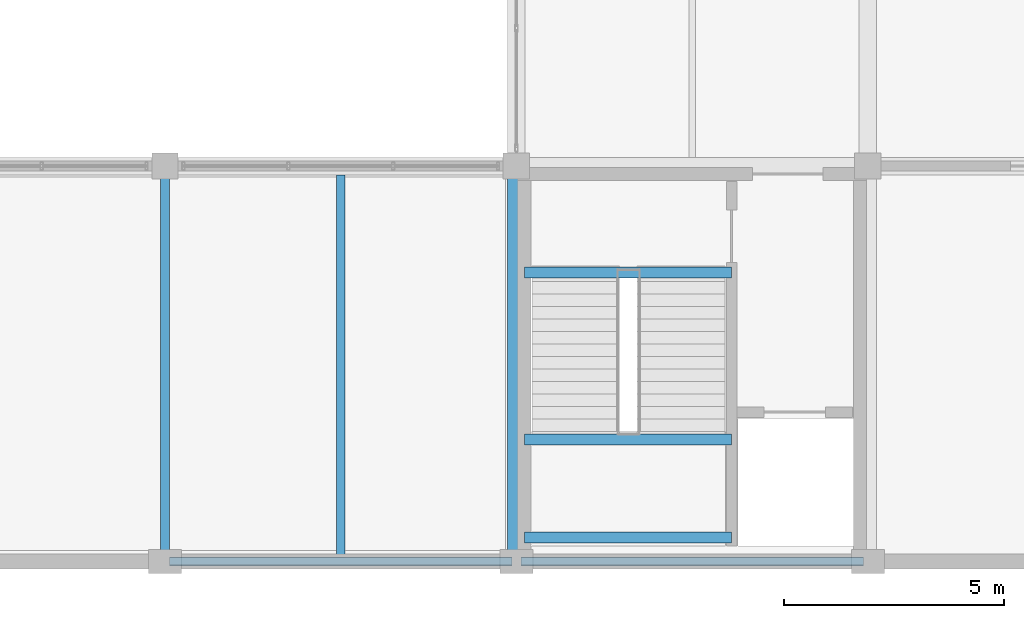
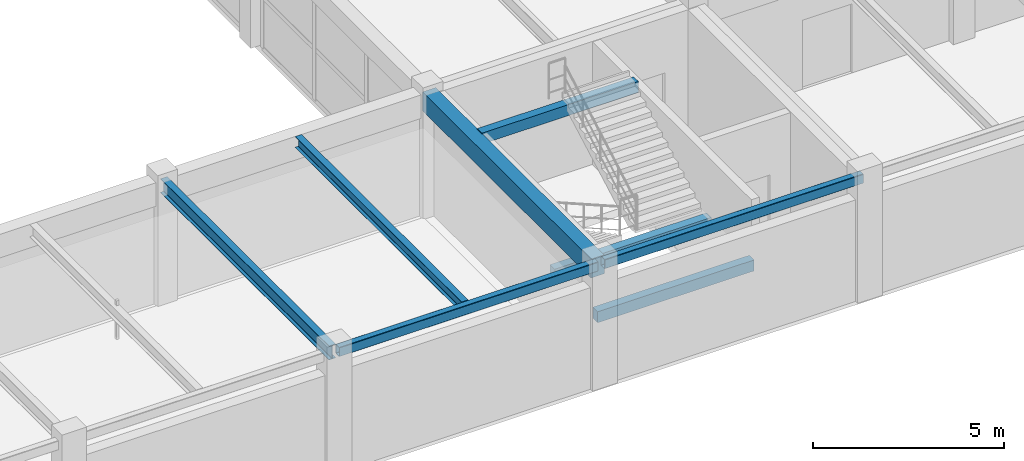
# One storey, part 22 of 126: 8 beams.
"""IFC4 building model written with IfcOpenShell, lengths in metres."""

from ifc_helpers import new_model, si_unit, direction, frame, origin, origin_2d, place, context, subcontext, project, spatial, rectangle, hollow_rectangle, i_section, extrude, material, material_profile, profile_set, type_object, element, save


model = new_model("IFC4")

# Units and contexts
model_context = context("Model", 3, precision=1e-05, world=origin(), true_north=direction((0.0, 1.0)))
body_context = subcontext(model_context, "Body", "Model", "MODEL_VIEW")
ifc_project = project(units=[si_unit("LENGTHUNIT", "METRE"), si_unit("AREAUNIT", "SQUARE_METRE"), si_unit("VOLUMEUNIT", "CUBIC_METRE"), si_unit("PLANEANGLEUNIT", "RADIAN"), si_unit("MASSUNIT", "GRAM", prefix="KILO")], contexts=[model_context])

# Site, building, storey
site_placement = place(None, origin())
site = spatial("IfcSite", under=ifc_project, at=site_placement, CompositionType="ELEMENT")
building_placement = place(site_placement, origin())
building = spatial("IfcBuilding", under=site, at=building_placement, Name="Varnabhumi Central Station", CompositionType="ELEMENT")
storey_placement = place(building_placement, frame((0.0, 0.0, 16.199951171875)))
storey = spatial("IfcBuildingStorey", under=building, at=storey_placement, Name="L03", CompositionType="ELEMENT", Elevation=16.199951171875)

# Beams
ifc_material_1 = material(Name="Structural steel E350", Category="steel")
ifc_material_profile_1 = material_profile(ifc_material_1, hollow_rectangle(XDim=0.199951171875, YDim=0.300048828125, WallThickness=0.011962890625, InnerFilletRadius=0.011962890625, OuterFilletRadius=0.02392578125, at=origin_2d()), Name="Structural steel E350", Category="steel")
ifc_profile_set_1 = profile_set([ifc_material_profile_1], Name="Structural steel E350")
beam_type_1 = type_object("IfcBeamType", Name="BM-EDGE-RHS300", PredefinedType="SPANDREL", material=ifc_profile_set_1)
for number, where, z_axis, x_axis, name in (
    (1, (136.10009765625, 0.0, 3.77001953125), (1.0, 0.0, 0.0), (0.0, 1.0, 0.0), "Beam L03-A:18-19"),
    (2, (144.10009765625, 0.0, 3.77001953125), (1.0, 0.0, 0.0), (0.0, 1.0, 0.0), "Beam L03-A:19-20"),
):
    element("IfcBeam", number, at=place(storey_placement, frame(where, z_axis=z_axis, x_axis=x_axis)), inside=storey, type_object=beam_type_1, Name=name, PredefinedType="SPANDREL", context=body_context, shape_type="SweptSolid", body=[
        extrude(hollow_rectangle(XDim=0.199951171875, YDim=0.300048828125, WallThickness=0.011962890625, InnerFilletRadius=0.011962890625, OuterFilletRadius=0.02392578125, at=origin_2d()), origin(), (0.0, 0.0, 1.0), 7.7998046875),
    ])
ifc_material_2 = material(Name="Concrete M35", Category="concrete")
ifc_material_profile_2 = material_profile(ifc_material_2, rectangle(XDim=0.25, YDim=0.35009765625, at=origin_2d()), Name="Concrete M35", Category="concrete")
ifc_profile_set_2 = profile_set([ifc_material_profile_2], Name="Concrete M35")
beam_type_2 = type_object("IfcBeamType", Name="BM-RC-250x350", PredefinedType="LINTEL", material=ifc_profile_set_2)
for number, where, z_axis, x_axis, name in (
    (3, (144.179931640625, 0.5400390625, 1.7451171875), (1.0, 0.0, 0.0), (0.0, 1.0, 0.0), "ST-S3 L03 Half Landing Support Beam 1"),
    (4, (144.179931640625, 2.77490234375, 1.7451171875), (1.0, 0.0, 0.0), (0.0, 1.0, 0.0), "ST-S3 L03 Half Landing Support Beam 2"),
    (5, (144.179931640625, 6.580078125, 3.775146484375), (1.0, 0.0, 0.0), (0.0, 1.0, 0.0), "ST-S3 L03 Floor Opening Trimmer Beam"),
):
    element("IfcBeam", number, at=place(storey_placement, frame(where, z_axis=z_axis, x_axis=x_axis)), inside=storey, type_object=beam_type_2, Name=name, PredefinedType="LINTEL", context=body_context, shape_type="SweptSolid", body=[
        extrude(rectangle(XDim=0.25, YDim=0.35009765625, at=origin_2d()), origin(), (0.0, 0.0, 1.0), 4.719970703125),
    ])
ifc_material_3 = material(Name="Concrete M40", Category="concrete")
ifc_material_profile_3 = material_profile(ifc_material_3, rectangle(XDim=0.39990234375, YDim=0.60009765625, at=origin_2d()), Name="Concrete M40", Category="concrete")
ifc_profile_set_3 = profile_set([ifc_material_profile_3], Name="Concrete M40")
beam_type_3 = type_object("IfcBeamType", Name="BM-RC-400x600", PredefinedType="BEAM", material=ifc_profile_set_3)
beam_1_placement = place(storey_placement, frame((144.0, 0.10009765625, 3.6201171875), z_axis=(0.0, 1.0, 0.0), x_axis=(-1.0, 0.0, 0.0)))
element("IfcBeam", 6, at=beam_1_placement, inside=storey, type_object=beam_type_3, Name="Beam L03-19:A-B", PredefinedType="BEAM", context=body_context, shape_type="SweptSolid", body=[
    extrude(rectangle(XDim=0.39990234375, YDim=0.60009765625, at=origin_2d()), origin(), (0.0, 0.0, 1.0), 8.7998046875),
])
ifc_material_profile_4 = material_profile(ifc_material_1, i_section(OverallWidth=0.199951171875, OverallDepth=0.35009765625, WebThickness=0.008056640625, FlangeThickness=0.011474609375, FilletRadius=0.011962890625, at=origin_2d()), Name="Structural steel E350", Category="steel")
ifc_profile_set_4 = profile_set([ifc_material_profile_4], Name="Structural steel E350")
beam_type_4 = type_object("IfcBeamType", Name="BM-STL-ISWB350", PredefinedType="JOIST", material=ifc_profile_set_4)
beam_2_placement = place(storey_placement, frame((140.0, 0.10009765625, 3.7451171875), z_axis=(0.0, 1.0, 0.0), x_axis=(-1.0, 0.0, 0.0)))
element("IfcBeam", 7, at=beam_2_placement, inside=storey, type_object=beam_type_4, Name="Secondary Joist L03-18/19:A-B", PredefinedType="JOIST", context=body_context, shape_type="SweptSolid", body=[
    extrude(i_section(OverallWidth=0.199951171875, OverallDepth=0.35009765625, WebThickness=0.008056640625, FlangeThickness=0.011474609375, FilletRadius=0.011962890625, at=origin_2d()), origin(), (0.0, 0.0, 1.0), 8.699951171875),
])
ifc_material_profile_5 = material_profile(ifc_material_1, i_section(OverallWidth=0.199951171875, OverallDepth=0.449951171875, WebThickness=0.00927734375, FlangeThickness=0.015380859375, FilletRadius=0.013916015625, at=origin_2d()), Name="Structural steel E350", Category="steel")
ifc_profile_set_5 = profile_set([ifc_material_profile_5], Name="Structural steel E350")
beam_type_5 = type_object("IfcBeamType", Name="BM-STL-ISWB450", PredefinedType="BEAM", material=ifc_profile_set_5)
beam_3_placement = place(storey_placement, frame((136.0, 0.10009765625, 3.695068359375), z_axis=(0.0, 1.0, 0.0), x_axis=(-1.0, 0.0, 0.0)))
element("IfcBeam", 8, at=beam_3_placement, inside=storey, type_object=beam_type_5, Name="Beam L03-18:A-B", PredefinedType="BEAM", context=body_context, shape_type="SweptSolid", body=[
    extrude(i_section(OverallWidth=0.199951171875, OverallDepth=0.449951171875, WebThickness=0.00927734375, FlangeThickness=0.015380859375, FilletRadius=0.013916015625, at=origin_2d()), origin(), (0.0, 0.0, 1.0), 8.7998046875),
])

save(model, "model.ifc")
